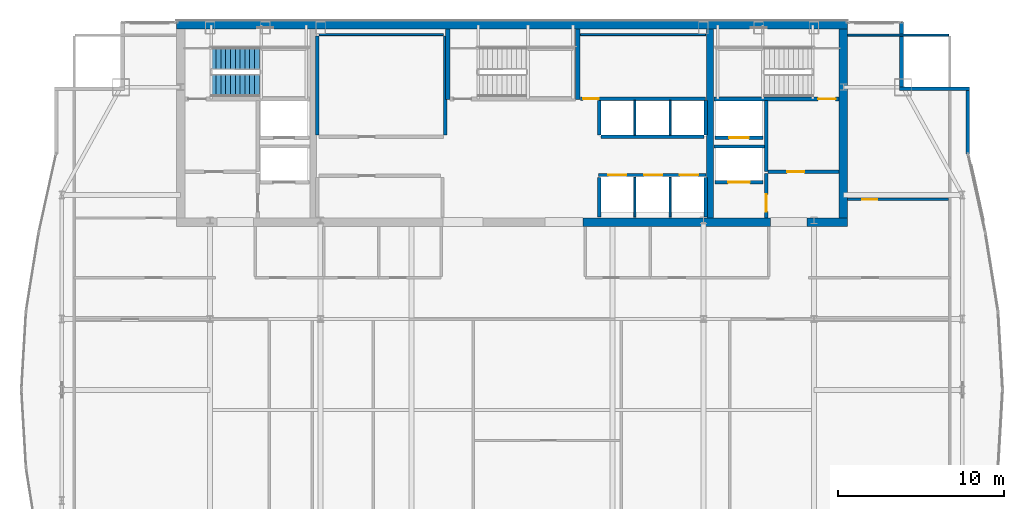
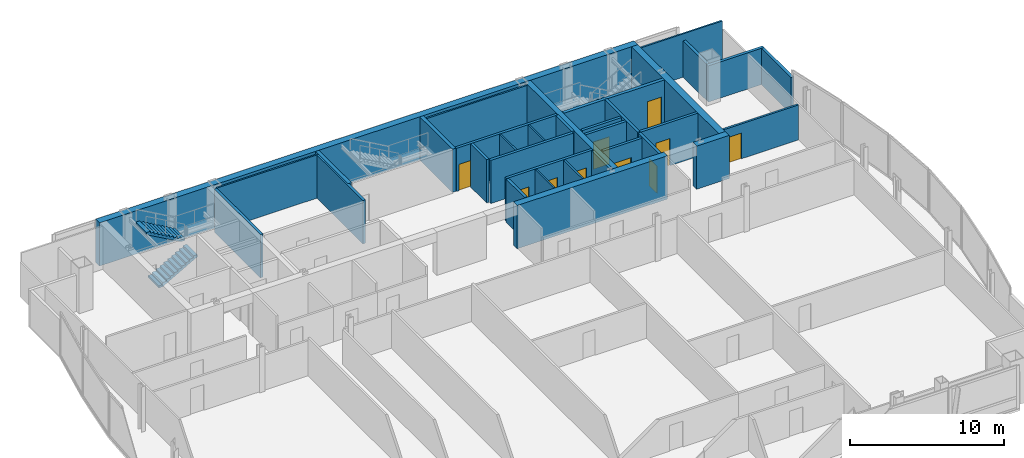
# One storey, part 27 of 30: 34 walls, 10 doors, 2 stair flights, 10 openings, 1 element without a shape of its own.
"""IFC4 building model written with IfcOpenShell, lengths in metres."""

from ifc_helpers import new_model, si_unit, direction, frame, frame_2d, origin, place, context, subcontext, project, spatial, polyline, rectangle, outline, extrude, material, layer, layer_set, type_object, element, fill, aggregate, save


model = new_model("IFC4")

# Units and contexts
model_context = context("Model", 3, precision=1e-05, world=origin(), true_north=direction((0.0, 1.0)))
body_context = subcontext(model_context, "Body", "Model", "MODEL_VIEW")
ifc_project = project(units=[si_unit("LENGTHUNIT", "METRE"), si_unit("AREAUNIT", "SQUARE_METRE"), si_unit("VOLUMEUNIT", "CUBIC_METRE"), si_unit("PLANEANGLEUNIT", "RADIAN"), si_unit("MASSUNIT", "GRAM", prefix="KILO")], contexts=[model_context])

# Site, building, storey
site_placement = place(None, origin())
site = spatial("IfcSite", under=ifc_project, at=site_placement, CompositionType="ELEMENT")
building_placement = place(site_placement, origin())
building = spatial("IfcBuilding", under=site, at=building_placement, Name="Khoronbel Lancet Exchange", CompositionType="ELEMENT")
storey_placement = place(building_placement, frame((0.0, 0.0, 269.800048828125)))
storey = spatial("IfcBuildingStorey", under=building, at=storey_placement, Name="L69", CompositionType="ELEMENT", Elevation=269.800048828125)

# Walls
ifc_material_1 = material(Name="Concrete C60/75", Category="concrete")
ifc_layer_1 = layer(ifc_material_1, 0.5, Name="Concrete C60/75")
ifc_layer_set_1 = layer_set([ifc_layer_1], Name="Concrete C60/75")
wall_type_1 = type_object("IfcWallType", Name="WL-CW4", PredefinedType="SHEAR", material=ifc_layer_set_1)
wall_1_placement = place(storey_placement, frame((16.199951171875, 53.449951171875, 0.0), z_axis=(0.0, 0.0, 1.0), x_axis=(1.0, 0.0, 0.0)))
element("IfcWall", 1, at=wall_1_placement, inside=storey, type_object=wall_type_1, Name="Level L69 rear core north shear wall", PredefinedType="SHEAR", context=body_context, shape_type="SweptSolid", body=[
    extrude(rectangle(XDim=40.5, YDim=0.5, at=frame_2d((20.25, 0.0))), origin(), (0.0, 0.0, 1.0), 3.43994140625),
])
wall_2_placement = place(storey_placement, frame((56.449951171875, 53.199951171875, 0.0), z_axis=(0.0, 0.0, 1.0), x_axis=(0.0, -1.0, 0.0)))
element("IfcWall", 2, at=wall_2_placement, inside=storey, type_object=wall_type_1, Name="Level L69 rear core east shear wall", PredefinedType="SHEAR", context=body_context, shape_type="SweptSolid", body=[
    extrude(rectangle(XDim=11.39990234375, YDim=0.5, at=frame_2d((5.699951171875, 0.0))), origin(), (0.0, 0.0, 1.0), 3.43994140625),
])
wall_3_placement = place(storey_placement, frame((52.050048828125, 41.550048828125, 0.0), z_axis=(0.0, 0.0, 1.0), x_axis=(-1.0, 0.0, 0.0)))
element("IfcWall", 3, at=wall_3_placement, inside=storey, type_object=wall_type_1, Name="Level L69 rear core south shear wall pier P4", PredefinedType="SHEAR", context=body_context, shape_type="SweptSolid", body=[
    extrude(rectangle(XDim=11.300048828125, YDim=0.5, at=frame_2d((5.64990234375, 0.0))), origin(), (0.0, 0.0, 1.0), 3.43994140625),
])
wall_4_placement = place(storey_placement, frame((56.699951171875, 41.550048828125, 0.0), z_axis=(0.0, 0.0, 1.0), x_axis=(-1.0, 0.0, 0.0)))
element("IfcWall", 4, at=wall_4_placement, inside=storey, type_object=wall_type_1, Name="Level L69 rear core south shear wall pier P5", PredefinedType="SHEAR", context=body_context, shape_type="SweptSolid", body=[
    extrude(rectangle(XDim=2.449951171875, YDim=0.5, at=frame_2d((1.22509765625, 0.0))), origin(), (0.0, 0.0, 1.0), 3.43994140625),
])
ifc_material_2 = material(Name="Precast concrete C40/50", Category="concrete")
ifc_layer_2 = layer(ifc_material_2, 0.25, Name="Precast concrete C40/50")
ifc_layer_set_2 = layer_set([ifc_layer_2], Name="Precast concrete C40/50")
wall_type_2 = type_object("IfcWallType", Name="WL-EXT250", PredefinedType="SOLIDWALL", material=ifc_layer_set_2)
wall_5_placement = place(storey_placement, frame((59.9599609375, 53.6298828125, 0.0), z_axis=(0.0, 0.0, 1.0), x_axis=(0.0, -1.0, 0.0)))
element("IfcWall", 5, at=wall_5_placement, inside=storey, type_object=wall_type_2, Name="Level L69 notched-corner limestone pier 14", PredefinedType="SOLIDWALL", context=body_context, shape_type="SweptSolid", body=[
    extrude(rectangle(XDim=3.909912109375, YDim=0.219970703125, at=frame_2d((1.955078125, 0.0))), origin(), (0.0, 0.0, 1.0), 2.8798828125),
])
wall_6_placement = place(storey_placement, frame((59.85009765625, 49.610107421875, 0.0), z_axis=(0.0, 0.0, 1.0), x_axis=(1.0, 0.0, 0.0)))
element("IfcWall", 6, at=wall_6_placement, inside=storey, type_object=wall_type_2, Name="Level L69 notched-corner limestone pier 15", PredefinedType="SOLIDWALL", context=body_context, shape_type="SweptSolid", body=[
    extrude(rectangle(XDim=4.219970703125, YDim=0.219970703125, at=frame_2d((2.10986328125, 0.0))), origin(), (0.0, 0.0, 1.0), 2.8798828125),
])
wall_7_placement = place(storey_placement, frame((63.9599609375, 49.5, 0.0), z_axis=(0.0, 0.0, 1.0), x_axis=(0.0, -1.0, 0.0)))
element("IfcWall", 7, at=wall_7_placement, inside=storey, type_object=wall_type_2, Name="Level L69 notched-corner limestone pier 16", PredefinedType="SOLIDWALL", context=body_context, shape_type="SweptSolid", body=[
    extrude(rectangle(XDim=3.829833984375, YDim=0.219970703125, at=frame_2d((1.9150390625, 0.0))), origin(), (0.0, 0.0, 1.0), 2.8798828125),
])

# Wall, opening, door
ifc_material_3 = material(Name="Acoustic Metal-Stud & Mineral-Wool Gypsum Partition 120 mm", Category="gypsum")
ifc_layer_3 = layer(ifc_material_3, 0.1201171875, Name="Acoustic Metal-Stud & Mineral-Wool Gypsum Partition 120 mm")
ifc_layer_set_3 = layer_set([ifc_layer_3], Name="Acoustic Metal-Stud & Mineral-Wool Gypsum Partition 120 mm")
wall_type_3 = type_object("IfcWallType", Name="WL-PRT120", PredefinedType="PARTITIONING", material=ifc_layer_set_3)
wall_8_placement = place(storey_placement, frame((56.699951171875, 42.919921875, 0.0), z_axis=(0.0, 0.0, 1.0), x_axis=(1.0, 0.0, 0.0)))
wall_8 = element("IfcWall", 8, at=wall_8_placement, inside=storey, type_object=wall_type_3, Name="Level L69 interior partition PW-NE-H", PredefinedType="PARTITIONING", context=body_context, shape_type="SweptSolid", body=[
    extrude(rectangle(XDim=6.10498046875, YDim=0.14990234375, at=frame_2d((3.052490234375, 0.0))), origin(), (0.0, 0.0, 1.0), 2.780029296875),
])
opening_1_placement = place(wall_8_placement, frame((0.89990234375, 0.0, 0.0)))
opening_1 = element("IfcOpeningElement", 9, at=opening_1_placement, cuts=wall_8, Name="Opening D5", PredefinedType="OPENING", context=body_context, shape_type="SweptSolid", body=[
    extrude(rectangle(XDim=0.89990234375, YDim=2.050048828125, at=frame_2d((0.449951171875, 1.02490234375))), frame((0.0, 0.0849609375, 0.0), z_axis=(0.0, -1.0, 0.0), x_axis=(1.0, 0.0, 0.0)), (0.0, 0.0, 1.0), 0.169921875),
])
ifc_material_4 = material(Name="Acoustic Timber Pantry & Support Door", Category="wood")
door_type_1 = type_object("IfcDoorType", Name="DR-D5", OperationType="NOTDEFINED", PredefinedType="DOOR", material=ifc_material_4)
door_1_placement = place(opening_1_placement, origin())
door_1 = element("IfcDoor", 10, at=door_1_placement, inside=storey, type_object=door_type_1, Name="NE north room door L69-1", OperationType="SINGLE_SWING_RIGHT", OverallHeight=2.050048828125, OverallWidth=0.89990234375, PredefinedType="DOOR", context=body_context, shape_type="SweptSolid", body=[
    extrude(rectangle(XDim=0.89990234375, YDim=2.050048828125, at=frame_2d((0.449951171875, 1.02490234375))), frame((0.0, 0.02490234375, 0.0), z_axis=(0.0, -1.0, 0.0), x_axis=(1.0, 0.0, 0.0)), (0.0, 0.0, 1.0), 0.050048828125),
])
fill(opening_1, door_1)

# Walls
wall_9_placement = place(storey_placement, frame((56.699951171875, 52.840087890625, 0.0), z_axis=(0.0, 0.0, 1.0), x_axis=(1.0, 0.0, 0.0)))
element("IfcWall", 11, at=wall_9_placement, inside=storey, type_object=wall_type_3, Name="Level L69 interior partition PW-LIN-NE", PredefinedType="PARTITIONING", context=body_context, shape_type="SweptSolid", body=[
    extrude(rectangle(XDim=6.10498046875, YDim=0.1201171875, at=frame_2d((3.052490234375, 0.0))), origin(), (0.0, 0.0, 1.0), 3.43994140625),
])
ifc_material_5 = material(Name="Fire-Rated Metal-Stud & Mineral-Wool Gypsum Partition 120 mm", Category="gypsum")
ifc_layer_4 = layer(ifc_material_5, 0.1201171875, Name="Fire-Rated Metal-Stud & Mineral-Wool Gypsum Partition 120 mm")
ifc_layer_set_4 = layer_set([ifc_layer_4], Name="Fire-Rated Metal-Stud & Mineral-Wool Gypsum Partition 120 mm")
wall_type_4 = type_object("IfcWallType", Name="WL-PRT120F", PredefinedType="PARTITIONING", material=ifc_layer_set_4)
wall_10_placement = place(storey_placement, frame((24.804931640625, 52.860107421875, 0.0), z_axis=(0.0, 0.0, 1.0), x_axis=(1.0, 0.0, 0.0)))
element("IfcWall", 12, at=wall_10_placement, inside=storey, type_object=wall_type_4, Name="Level L69 interior partition CW-PL-RN", PredefinedType="PARTITIONING", context=body_context, shape_type="SweptSolid", body=[
    extrude(rectangle(XDim=7.510009765625, YDim=0.1201171875, at=frame_2d((3.7548828125, 0.0))), origin(), (0.0, 0.0, 1.0), 3.43994140625),
])
for number, where, z_axis, x_axis, name in (
    (13, (43.860107421875, 46.804931640625, 0.0), (0.0, 0.0, 1.0), (0.0, 1.0, 0.0), "Level L69 interior partition CW-PH-D1"),
    (14, (46.0, 46.804931640625, 0.0), (0.0, 0.0, 1.0), (0.0, 1.0, 0.0), "Level L69 interior partition CW-PH-D2"),
):
    element("IfcWall", number, at=place(storey_placement, frame(where, z_axis=z_axis, x_axis=x_axis)), inside=storey, type_object=wall_type_4, Name=name, PredefinedType="PARTITIONING", context=body_context, shape_type="SweptSolid", body=[
        extrude(rectangle(XDim=2.090087890625, YDim=0.1201171875, at=frame_2d((1.044921875, 0.0))), origin(), (0.0, 0.0, 1.0), 3.43994140625),
    ])
for number, where, z_axis, x_axis, name in (
    (15, (43.860107421875, 41.85009765625, 0.0), (0.0, 0.0, 1.0), (0.0, 1.0, 0.0), "Level L69 interior partition CW-PX-D1"),
    (16, (46.0, 41.85009765625, 0.0), (0.0, 0.0, 1.0), (0.0, 1.0, 0.0), "Level L69 interior partition CW-PX-D2"),
):
    element("IfcWall", number, at=place(storey_placement, frame(where, z_axis=z_axis, x_axis=x_axis)), inside=storey, type_object=wall_type_4, Name=name, PredefinedType="PARTITIONING", context=body_context, shape_type="SweptSolid", body=[
        extrude(rectangle(XDim=2.39990234375, YDim=0.1201171875, at=frame_2d((1.199951171875, 0.0))), origin(), (0.0, 0.0, 1.0), 3.43994140625),
    ])
wall_11_placement = place(storey_placement, frame((40.580078125, 52.860107421875, 0.0), z_axis=(0.0, 0.0, 1.0), x_axis=(1.0, 0.0, 0.0)))
element("IfcWall", 17, at=wall_11_placement, inside=storey, type_object=wall_type_4, Name="Level L69 interior partition CW-SUP-NE-N", PredefinedType="PARTITIONING", context=body_context, shape_type="SweptSolid", body=[
    extrude(rectangle(XDim=7.559814453125, YDim=0.1201171875, at=frame_2d((3.77978515625, 0.0))), origin(), (0.0, 0.0, 1.0), 3.43994140625),
])

# Wall, openings, doors
ifc_material_6 = material(Name="Autoclaved Aerated Concrete Blockwork 200 mm", Category="masonry")
ifc_layer_5 = layer(ifc_material_6, 0.199951171875, Name="Autoclaved Aerated Concrete Blockwork 200 mm")
ifc_layer_set_5 = layer_set([ifc_layer_5], Name="Autoclaved Aerated Concrete Blockwork 200 mm")
wall_type_5 = type_object("IfcWallType", Name="WL-PRT200", PredefinedType="PARTITIONING", material=ifc_layer_set_5)
wall_12_placement = place(storey_placement, frame((41.679931640625, 44.39990234375, 0.0), z_axis=(0.0, 0.0, 1.0), x_axis=(1.0, 0.0, 0.0)))
wall_12 = element("IfcWall", 18, at=wall_12_placement, inside=storey, type_object=wall_type_5, Name="Level L69 elevator hoistway landing front wall PXE", PredefinedType="PARTITIONING", context=body_context, shape_type="SweptSolid", body=[
    extrude(rectangle(XDim=6.47998046875, YDim=0.199951171875, at=frame_2d((3.239990234375, 0.0))), origin(), (0.0, 0.0, 1.0), 3.43994140625),
])
opening_2_placement = place(wall_12_placement, frame((0.580078125, 0.0, 0.0)))
opening_2 = element("IfcOpeningElement", 19, at=opening_2_placement, cuts=wall_12, Name="Opening LD-PX1", PredefinedType="OPENING", context=body_context, shape_type="SweptSolid", body=[
    extrude(rectangle(XDim=1.10009765625, YDim=2.179931640625, at=frame_2d((0.550048828125, 1.08984375))), frame((0.0, 0.10986328125, 0.0), z_axis=(0.0, -1.0, 0.0), x_axis=(1.0, 0.0, 0.0)), (0.0, 0.0, 1.0), 0.219970703125),
])
opening_3_placement = place(wall_12_placement, frame((2.739990234375, 0.0, 0.0)))
opening_3 = element("IfcOpeningElement", 20, at=opening_3_placement, cuts=wall_12, Name="Opening LD-PX2", PredefinedType="OPENING", context=body_context, shape_type="SweptSolid", body=[
    extrude(rectangle(XDim=1.10009765625, YDim=2.179931640625, at=frame_2d((0.550048828125, 1.08984375))), frame((0.0, 0.10986328125, 0.0), z_axis=(0.0, -1.0, 0.0), x_axis=(1.0, 0.0, 0.0)), (0.0, 0.0, 1.0), 0.219970703125),
])
opening_4_placement = place(wall_12_placement, frame((4.89990234375, 0.0, 0.0)))
opening_4 = element("IfcOpeningElement", 21, at=opening_4_placement, cuts=wall_12, Name="Opening LD-PX3", PredefinedType="OPENING", context=body_context, shape_type="SweptSolid", body=[
    extrude(rectangle(XDim=1.10009765625, YDim=2.179931640625, at=frame_2d((0.550048828125, 1.08984375))), frame((0.0, 0.10986328125, 0.0), z_axis=(0.0, -1.0, 0.0), x_axis=(1.0, 0.0, 0.0)), (0.0, 0.0, 1.0), 0.219970703125),
])
ifc_material_7 = material(Name="Brushed Bronze Bi-Parting Elevator Landing Door", Category="steel")
door_type_2 = type_object("IfcDoorType", Name="DR-LD-PAX", OperationType="NOTDEFINED", PredefinedType="DOOR", material=ifc_material_7)
door_2_placement = place(opening_2_placement, origin())
door_2 = element("IfcDoor", 22, at=door_2_placement, inside=storey, type_object=door_type_2, Name="Elevator landing sliding door LD-PX1 L69", OperationType="SLIDING_TO_LEFT", OverallHeight=2.179931640625, OverallWidth=1.10009765625, PredefinedType="DOOR", context=body_context, shape_type="SweptSolid", body=[
    extrude(rectangle(XDim=1.10009765625, YDim=2.179931640625, at=frame_2d((0.550048828125, 1.08984375))), frame((0.0, 0.02490234375, 0.0), z_axis=(0.0, -1.0, 0.0), x_axis=(1.0, 0.0, 0.0)), (0.0, 0.0, 1.0), 0.050048828125),
])
fill(opening_2, door_2)
door_3_placement = place(opening_3_placement, origin())
door_3 = element("IfcDoor", 23, at=door_3_placement, inside=storey, type_object=door_type_2, Name="Elevator landing sliding door LD-PX2 L69", OperationType="SLIDING_TO_LEFT", OverallHeight=2.179931640625, OverallWidth=1.10009765625, PredefinedType="DOOR", context=body_context, shape_type="SweptSolid", body=[
    extrude(rectangle(XDim=1.10009765625, YDim=2.179931640625, at=frame_2d((0.550048828125, 1.08984375))), frame((0.0, 0.02490234375, 0.0), z_axis=(0.0, -1.0, 0.0), x_axis=(1.0, 0.0, 0.0)), (0.0, 0.0, 1.0), 0.050048828125),
])
fill(opening_3, door_3)
door_4_placement = place(opening_4_placement, origin())
door_4 = element("IfcDoor", 24, at=door_4_placement, inside=storey, type_object=door_type_2, Name="Elevator landing sliding door LD-PX3 L69", OperationType="SLIDING_TO_LEFT", OverallHeight=2.179931640625, OverallWidth=1.10009765625, PredefinedType="DOOR", context=body_context, shape_type="SweptSolid", body=[
    extrude(rectangle(XDim=1.10009765625, YDim=2.179931640625, at=frame_2d((0.550048828125, 1.08984375))), frame((0.0, 0.02490234375, 0.0), z_axis=(0.0, -1.0, 0.0), x_axis=(1.0, 0.0, 0.0)), (0.0, 0.0, 1.0), 0.050048828125),
])
fill(opening_4, door_4)

# Wall, opening, door
wall_13_placement = place(storey_placement, frame((51.610107421875, 43.949951171875, 0.0), z_axis=(0.0, 0.0, 1.0), x_axis=(-1.0, 0.0, 0.0)))
wall_13 = element("IfcWall", 25, at=wall_13_placement, inside=storey, type_object=wall_type_5, Name="Level L69 elevator hoistway landing front wall SVLE", PredefinedType="PARTITIONING", context=body_context, shape_type="SweptSolid", body=[
    extrude(rectangle(XDim=2.920166015625, YDim=0.199951171875, at=frame_2d((1.4599609375, 0.0))), origin(), (0.0, 0.0, 1.0), 3.43994140625),
])
opening_5_placement = place(wall_13_placement, frame((0.81005859375, 0.0, 0.0)))
opening_5 = element("IfcOpeningElement", 26, at=opening_5_placement, cuts=wall_13, Name="Opening LD-SVL2", PredefinedType="OPENING", context=body_context, shape_type="SweptSolid", body=[
    extrude(rectangle(XDim=1.300048828125, YDim=2.179931640625, at=frame_2d((0.64990234375, 1.08984375))), frame((0.0, 0.10986328125, 0.0), z_axis=(0.0, -1.0, 0.0), x_axis=(1.0, 0.0, 0.0)), (0.0, 0.0, 1.0), 0.219970703125),
])
ifc_material_8 = material(Name="Heavy-Duty Bi-Parting Goods Lift Landing Door", Category="steel")
door_type_3 = type_object("IfcDoorType", Name="DR-LD-SVL", OperationType="NOTDEFINED", PredefinedType="DOOR", material=ifc_material_8)
door_5_placement = place(opening_5_placement, origin())
door_5 = element("IfcDoor", 27, at=door_5_placement, inside=storey, type_object=door_type_3, Name="Elevator landing sliding door LD-SVL2 L69", OperationType="SLIDING_TO_LEFT", OverallHeight=2.179931640625, OverallWidth=1.300048828125, PredefinedType="DOOR", context=body_context, shape_type="SweptSolid", body=[
    extrude(rectangle(XDim=1.300048828125, YDim=2.179931640625, at=frame_2d((0.64990234375, 1.08984375))), frame((0.0, 0.02490234375, 0.0), z_axis=(0.0, -1.0, 0.0), x_axis=(1.0, 0.0, 0.0)), (0.0, 0.0, 1.0), 0.050048828125),
])
fill(opening_5, door_5)

wall_14_placement = place(storey_placement, frame((51.610107421875, 46.64990234375, 0.0), z_axis=(0.0, 0.0, 1.0), x_axis=(-1.0, 0.0, 0.0)))
wall_14 = element("IfcWall", 28, at=wall_14_placement, inside=storey, type_object=wall_type_5, Name="Level L69 elevator hoistway landing front wall FFLE", PredefinedType="PARTITIONING", context=body_context, shape_type="SweptSolid", body=[
    extrude(rectangle(XDim=2.920166015625, YDim=0.199951171875, at=frame_2d((1.4599609375, 0.0))), origin(), (0.0, 0.0, 1.0), 3.43994140625),
])
opening_6_placement = place(wall_14_placement, frame((0.860107421875, 0.0, 0.0)))
opening_6 = element("IfcOpeningElement", 29, at=opening_6_placement, cuts=wall_14, Name="Opening LD-FFL2", PredefinedType="OPENING", context=body_context, shape_type="SweptSolid", body=[
    extrude(rectangle(XDim=1.199951171875, YDim=2.179931640625, at=frame_2d((0.60009765625, 1.08984375))), frame((0.0, 0.10986328125, 0.0), z_axis=(0.0, -1.0, 0.0), x_axis=(1.0, 0.0, 0.0)), (0.0, 0.0, 1.0), 0.219970703125),
])
ifc_material_9 = material(Name="Fire-Rated Stainless Bi-Parting Firefighting Lift Door", Category="steel")
door_type_4 = type_object("IfcDoorType", Name="DR-LD-FFL", OperationType="NOTDEFINED", PredefinedType="DOOR", material=ifc_material_9)
door_6_placement = place(opening_6_placement, origin())
door_6 = element("IfcDoor", 30, at=door_6_placement, inside=storey, type_object=door_type_4, Name="Elevator landing sliding door LD-FFL2 L69", OperationType="SLIDING_TO_LEFT", OverallHeight=2.179931640625, OverallWidth=1.199951171875, PredefinedType="DOOR", context=body_context, shape_type="SweptSolid", body=[
    extrude(rectangle(XDim=1.199951171875, YDim=2.179931640625, at=frame_2d((0.60009765625, 1.08984375))), frame((0.0, 0.02490234375, 0.0), z_axis=(0.0, -1.0, 0.0), x_axis=(1.0, 0.0, 0.0)), (0.0, 0.0, 1.0), 0.050048828125),
])
fill(opening_6, door_6)

# Wall
wall_15_placement = place(storey_placement, frame((51.800048828125, 44.60009765625, 0.0), z_axis=(0.0, 0.0, 1.0), x_axis=(0.0, 1.0, 0.0)))
element("IfcWall", 31, at=wall_15_placement, inside=storey, type_object=wall_type_5, Name="Level L69 interior partition CW-FFLE-W", PredefinedType="PARTITIONING", context=body_context, shape_type="SweptSolid", body=[
    extrude(rectangle(XDim=4.2998046875, YDim=0.199951171875, at=frame_2d((2.14990234375, 0.0))), origin(), (0.0, 0.0, 1.0), 3.43994140625),
])

# Wall, opening, door
wall_16_placement = place(storey_placement, frame((51.89990234375, 44.60009765625, 0.0), z_axis=(0.0, 0.0, 1.0), x_axis=(1.0, 0.0, 0.0)))
wall_16 = element("IfcWall", 32, at=wall_16_placement, inside=storey, type_object=wall_type_5, Name="Level L69 interior partition CW-FFLE-S", PredefinedType="PARTITIONING", context=body_context, shape_type="SweptSolid", body=[
    extrude(rectangle(XDim=4.300048828125, YDim=0.199951171875, at=frame_2d((2.14990234375, 0.0))), origin(), (0.0, 0.0, 1.0), 3.43994140625),
])
opening_7_placement = place(wall_16_placement, frame((1.14990234375, 0.0, 0.0)))
opening_7 = element("IfcOpeningElement", 33, at=opening_7_placement, cuts=wall_16, Name="Opening FD1", PredefinedType="OPENING", context=body_context, shape_type="SweptSolid", body=[
    extrude(rectangle(XDim=1.050048828125, YDim=2.14990234375, at=frame_2d((0.52490234375, 1.074951171875))), frame((0.0, 0.10986328125, 0.0), z_axis=(0.0, -1.0, 0.0), x_axis=(1.0, 0.0, 0.0)), (0.0, 0.0, 1.0), 0.219970703125),
])
ifc_material_10 = material(Name="Fire-Rated Painted Steel Door Assembly", Category="steel")
door_type_5 = type_object("IfcDoorType", Name="DR-FD1", OperationType="NOTDEFINED", PredefinedType="DOOR", material=ifc_material_10)
door_7_placement = place(opening_7_placement, origin())
door_7 = element("IfcDoor", 34, at=door_7_placement, inside=storey, type_object=door_type_5, Name="East firefighting lobby FD90S door L69-1", OperationType="SINGLE_SWING_LEFT", OverallHeight=2.14990234375, OverallWidth=1.050048828125, PredefinedType="DOOR", context=body_context, shape_type="SweptSolid", body=[
    extrude(rectangle(XDim=1.050048828125, YDim=2.14990234375, at=frame_2d((0.52490234375, 1.074951171875))), frame((0.0, 0.02490234375, 0.0), z_axis=(0.0, -1.0, 0.0), x_axis=(1.0, 0.0, 0.0)), (0.0, 0.0, 1.0), 0.050048828125),
])
fill(opening_7, door_7)

# Wall
wall_17_placement = place(storey_placement, frame((48.6298828125, 46.1201171875, 0.0), z_axis=(0.0, 0.0, 1.0), x_axis=(1.0, 0.0, 0.0)))
element("IfcWall", 35, at=wall_17_placement, inside=storey, type_object=wall_type_5, Name="Level L69 interior partition CW-FFL2-S", PredefinedType="PARTITIONING", context=body_context, shape_type="SweptSolid", body=[
    extrude(rectangle(XDim=3.070068359375, YDim=0.199951171875, at=frame_2d((1.53515625, 0.0))), origin(), (0.0, 0.0, 1.0), 3.43994140625),
])

# Wall, opening, door
wall_18_placement = place(storey_placement, frame((51.800048828125, 41.800048828125, 0.0), z_axis=(0.0, 0.0, 1.0), x_axis=(0.0, 1.0, 0.0)))
wall_18 = element("IfcWall", 36, at=wall_18_placement, inside=storey, type_object=wall_type_5, Name="Level L69 interior partition CW-SVLE-E", PredefinedType="PARTITIONING", context=body_context, shape_type="SweptSolid", body=[
    extrude(rectangle(XDim=2.695068359375, YDim=0.199951171875, at=frame_2d((1.34765625, 0.0))), origin(), (0.0, 0.0, 1.0), 3.43994140625),
])
opening_8_placement = place(wall_18_placement, frame((0.3798828125, 0.0, 0.0)))
opening_8 = element("IfcOpeningElement", 37, at=opening_8_placement, cuts=wall_18, Name="Opening FD1", PredefinedType="OPENING", context=body_context, shape_type="SweptSolid", body=[
    extrude(rectangle(XDim=1.050048828125, YDim=2.14990234375, at=frame_2d((0.52490234375, 1.074951171875))), frame((0.0, 0.10986328125, 0.0), z_axis=(0.0, -1.0, 0.0), x_axis=(1.0, 0.0, 0.0)), (0.0, 0.0, 1.0), 0.219970703125),
])
door_8_placement = place(opening_8_placement, origin())
door_8 = element("IfcDoor", 38, at=door_8_placement, inside=storey, type_object=door_type_5, Name="East service lift lobby door L69-1", OperationType="SINGLE_SWING_RIGHT", OverallHeight=2.14990234375, OverallWidth=1.050048828125, PredefinedType="DOOR", context=body_context, shape_type="SweptSolid", body=[
    extrude(rectangle(XDim=1.050048828125, YDim=2.14990234375, at=frame_2d((0.52490234375, 1.074951171875))), frame((0.0, 0.02490234375, 0.0), z_axis=(0.0, -1.0, 0.0), x_axis=(1.0, 0.0, 0.0)), (0.0, 0.0, 1.0), 0.050048828125),
])
fill(opening_8, door_8)

# Walls
for number, where, z_axis, x_axis, name in (
    (39, (24.699951171875, 46.804931640625, 0.0), (0.0, 0.0, 1.0), (0.0, 1.0, 0.0), "Level L69 interior partition CW-PL-RW"),
    (40, (32.419921875, 46.804931640625, 0.0), (0.0, 0.0, 1.0), (0.0, 1.0, 0.0), "Level L69 interior partition CW-PL-RE"),
):
    element("IfcWall", number, at=place(storey_placement, frame(where, z_axis=z_axis, x_axis=x_axis)), inside=storey, type_object=wall_type_5, Name=name, PredefinedType="PARTITIONING", context=body_context, shape_type="SweptSolid", body=[
        extrude(rectangle(XDim=5.989990234375, YDim=0.199951171875, at=frame_2d((2.9951171875, 0.0))), origin(), (0.0, 0.0, 1.0), 3.43994140625),
    ])
wall_19_placement = place(storey_placement, frame((41.824951171875, 46.699951171875, 0.0), z_axis=(0.0, 0.0, 1.0), x_axis=(1.0, 0.0, 0.0)))
element("IfcWall", 41, at=wall_19_placement, inside=storey, type_object=wall_type_5, Name="Level L69 interior partition CW-PH-EXP", PredefinedType="PARTITIONING", context=body_context, shape_type="SweptSolid", body=[
    extrude(rectangle(XDim=6.2099609375, YDim=0.199951171875, at=frame_2d((3.10498046875, 0.0))), origin(), (0.0, 0.0, 1.0), 3.43994140625),
])
for number, where, z_axis, x_axis, name in (
    (42, (41.719970703125, 46.804931640625, 0.0), (0.0, 0.0, 1.0), (0.0, 1.0, 0.0), "Level L69 interior partition CW-PH-W"),
    (43, (48.139892578125, 46.804931640625, 0.0), (0.0, 0.0, 1.0), (0.0, 1.0, 0.0), "Level L69 interior partition CW-PH-E"),
):
    element("IfcWall", number, at=place(storey_placement, frame(where, z_axis=z_axis, x_axis=x_axis)), inside=storey, type_object=wall_type_5, Name=name, PredefinedType="PARTITIONING", context=body_context, shape_type="SweptSolid", body=[
        extrude(rectangle(XDim=2.090087890625, YDim=0.199951171875, at=frame_2d((1.044921875, 0.0))), origin(), (0.0, 0.0, 1.0), 3.43994140625),
    ])
for number, where, z_axis, x_axis, name in (
    (44, (41.719970703125, 41.85009765625, 0.0), (0.0, 0.0, 1.0), (0.0, 1.0, 0.0), "Level L69 interior partition CW-PX-W"),
    (45, (48.139892578125, 41.85009765625, 0.0), (0.0, 0.0, 1.0), (0.0, 1.0, 0.0), "Level L69 interior partition CW-PX-E"),
):
    element("IfcWall", number, at=place(storey_placement, frame(where, z_axis=z_axis, x_axis=x_axis)), inside=storey, type_object=wall_type_5, Name=name, PredefinedType="PARTITIONING", context=body_context, shape_type="SweptSolid", body=[
        extrude(rectangle(XDim=2.39990234375, YDim=0.199951171875, at=frame_2d((1.199951171875, 0.0))), origin(), (0.0, 0.0, 1.0), 3.43994140625),
    ])

# Wall, opening, door
wall_20_placement = place(storey_placement, frame((40.580078125, 49.0, 0.0), z_axis=(0.0, 0.0, 1.0), x_axis=(1.0, 0.0, 0.0)))
wall_20 = element("IfcWall", 46, at=wall_20_placement, inside=storey, type_object=wall_type_5, Name="Level L69 interior partition CW-SUP-NE-S", PredefinedType="PARTITIONING", context=body_context, shape_type="SweptSolid", body=[
    extrude(rectangle(XDim=7.559814453125, YDim=0.199951171875, at=frame_2d((3.77978515625, 0.0))), origin(), (0.0, 0.0, 1.0), 3.43994140625),
])
opening_9_placement = place(wall_20_placement, frame((0.159912109375, 0.0, 0.0)))
opening_9 = element("IfcOpeningElement", 47, at=opening_9_placement, cuts=wall_20, Name="Opening FD3", PredefinedType="OPENING", context=body_context, shape_type="SweptSolid", body=[
    extrude(rectangle(XDim=0.949951171875, YDim=2.10009765625, at=frame_2d((0.47509765625, 1.050048828125))), frame((0.0, 0.10986328125, 0.0), z_axis=(0.0, -1.0, 0.0), x_axis=(1.0, 0.0, 0.0)), (0.0, 0.0, 1.0), 0.219970703125),
])
ifc_material_11 = material(Name="Fire-Rated Steel Plant & Riser Door Assembly", Category="steel")
door_type_6 = type_object("IfcDoorType", Name="DR-FD3", OperationType="NOTDEFINED", PredefinedType="DOOR", material=ifc_material_11)
door_9_placement = place(opening_9_placement, origin())
door_9 = element("IfcDoor", 48, at=door_9_placement, inside=storey, type_object=door_type_6, Name="Core NE support room door L69-1", OperationType="SINGLE_SWING_LEFT", OverallHeight=2.10009765625, OverallWidth=0.949951171875, PredefinedType="DOOR", context=body_context, shape_type="SweptSolid", body=[
    extrude(rectangle(XDim=0.949951171875, YDim=2.10009765625, at=frame_2d((0.47509765625, 1.050048828125))), frame((0.0, 0.02490234375, 0.0), z_axis=(0.0, -1.0, 0.0), x_axis=(1.0, 0.0, 0.0)), (0.0, 0.0, 1.0), 0.050048828125),
])
fill(opening_9, door_9)

# Walls
ifc_layer_6 = layer(ifc_material_1, 0.39990234375, Name="Concrete C60/75")
ifc_layer_set_6 = layer_set([ifc_layer_6], Name="Concrete C60/75")
wall_type_6 = type_object("IfcWallType", Name="WL-SW2", PredefinedType="SHEAR", material=ifc_layer_set_6)
wall_21_placement = place(storey_placement, frame((48.39990234375, 41.800048828125, 0.0), z_axis=(0.0, 0.0, 1.0), x_axis=(0.0, 1.0, 0.0)))
element("IfcWall", 49, at=wall_21_placement, inside=storey, type_object=wall_type_6, Name="Level L69 rear core internal spine shear wall IE", PredefinedType="SHEAR", context=body_context, shape_type="SweptSolid", body=[
    extrude(rectangle(XDim=11.39990234375, YDim=0.39990234375, at=frame_2d((5.699951171875, 0.0))), origin(), (0.0, 0.0, 1.0), 3.43994140625),
])
ifc_layer_7 = layer(ifc_material_1, 0.260009765625, Name="Concrete C60/75")
ifc_layer_set_7 = layer_set([ifc_layer_7], Name="Concrete C60/75")
wall_type_7 = type_object("IfcWallType", Name="WL-SW3", PredefinedType="SHEAR", material=ifc_layer_set_7)
for number, where, z_axis, x_axis, name in (
    (50, (32.580078125, 48.949951171875, 0.0), (0.0, 0.0, 1.0), (0.0, 1.0, 0.0), "Level L69 central stairwell structural shear wall ST3W"),
    (51, (40.419921875, 48.949951171875, 0.0), (0.0, 0.0, 1.0), (0.0, 1.0, 0.0), "Level L69 central stairwell structural shear wall ST3E"),
):
    element("IfcWall", number, at=place(storey_placement, frame(where, z_axis=z_axis, x_axis=x_axis)), inside=storey, type_object=wall_type_7, Name=name, PredefinedType="SHEAR", context=body_context, shape_type="SweptSolid", body=[
        extrude(rectangle(XDim=4.25, YDim=0.260009765625, at=frame_2d((2.125, 0.0))), origin(), (0.0, 0.0, 1.0), 3.43994140625),
    ])

# Wall, opening, door
wall_22_placement = place(storey_placement, frame((48.6298828125, 48.97998046875, 0.0), z_axis=(0.0, 0.0, 1.0), x_axis=(1.0, 0.0, 0.0)))
wall_22 = element("IfcWall", 52, at=wall_22_placement, inside=storey, type_object=wall_type_7, Name="Level L69 east stairwell structural south wall", PredefinedType="SHEAR", context=body_context, shape_type="SweptSolid", body=[
    extrude(rectangle(XDim=7.570068359375, YDim=0.239990234375, at=frame_2d((3.78515625, 0.0))), origin(), (0.0, 0.0, 1.0), 3.43994140625),
])
opening_10_placement = place(wall_22_placement, frame((6.300048828125, 0.0, 0.0)))
opening_10 = element("IfcOpeningElement", 53, at=opening_10_placement, cuts=wall_22, Name="Opening SD1", PredefinedType="OPENING", context=body_context, shape_type="SweptSolid", body=[
    extrude(rectangle(XDim=1.050048828125, YDim=2.14990234375, at=frame_2d((0.52490234375, 1.074951171875))), frame((0.0, 0.1298828125, 0.0), z_axis=(0.0, -1.0, 0.0), x_axis=(1.0, 0.0, 0.0)), (0.0, 0.0, 1.0), 0.260009765625),
])
ifc_material_12 = material(Name="Fire-Rated Steel Stairwell Door Assembly", Category="steel")
door_type_7 = type_object("IfcDoorType", Name="DR-SD1", OperationType="NOTDEFINED", PredefinedType="DOOR", material=ifc_material_12)
door_10_placement = place(opening_10_placement, origin())
door_10 = element("IfcDoor", 54, at=door_10_placement, inside=storey, type_object=door_type_7, Name="Protected exit stair ST2 door L69", OperationType="SINGLE_SWING_RIGHT", OverallHeight=2.14990234375, OverallWidth=1.050048828125, PredefinedType="DOOR", context=body_context, shape_type="SweptSolid", body=[
    extrude(rectangle(XDim=1.050048828125, YDim=2.14990234375, at=frame_2d((0.52490234375, 1.074951171875))), frame((0.0, 0.02490234375, 0.0), z_axis=(0.0, -1.0, 0.0), x_axis=(1.0, 0.0, 0.0)), (0.0, 0.0, 1.0), 0.050048828125),
])
fill(opening_10, door_10)

# Stair, stair flights
ifc_material_13 = material(Name="Concrete C40/50", Category="concrete")
stair_type = type_object("IfcStairType", Name="STR-CORE150", PredefinedType="HALF_TURN_STAIR", material=ifc_material_13)
stair_placement = place(storey_placement, origin())
stair = element("IfcStair", 55, at=stair_placement, inside=storey, type_object=stair_type, Name="L69 Protected Exit Stair ST1", PredefinedType="HALF_TURN_STAIR")
stair_flight_type = type_object("IfcStairFlightType", Name="STF-150", PredefinedType="STRAIGHT", material=ifc_material_13)
stair_flight_1_placement = place(storey_placement, frame((18.300048828125, 49.81005859375, 0.0), z_axis=(0.0, 0.0, 1.0), x_axis=(1.0, 0.0, 0.0)))
stair_flight_1 = element("IfcStairFlight", 56, at=stair_flight_1_placement, type_object=stair_flight_type, Name="ST1 flight 1", NumberOfRisers=11, NumberOfTreads=10, PredefinedType="STRAIGHT", RiserHeight=0.163636364, TreadLength=0.29, context=body_context, shape_type="SweptSolid", body=[
    extrude(outline(polyline([(0.0, 0.0), (0.0, 0.16357421875), (0.2900390625, 0.16357421875), (0.2900390625, 0.327392578125), (0.580078125, 0.327392578125), (0.580078125, 0.490966796875), (0.8701171875, 0.490966796875), (0.8701171875, 0.654541015625), (1.159912109375, 0.654541015625), (1.159912109375, 0.818115234375), (1.449951171875, 0.818115234375), (1.449951171875, 0.98193359375), (1.739990234375, 0.98193359375), (1.739990234375, 1.1455078125), (2.030029296875, 1.1455078125), (2.030029296875, 1.30908203125), (2.320068359375, 1.30908203125), (2.320068359375, 1.47265625), (2.610107421875, 1.47265625), (2.610107421875, 1.636474609375), (2.89990234375, 1.636474609375), (2.89990234375, 1.800048828125), (2.89990234375, 1.46435546875), (0.304931640625, 0.0), (0.0, 0.0)])), frame((0.0, 0.68994140625, 0.0), z_axis=(0.0, -1.0, 0.0), x_axis=(1.0, 0.0, 0.0)), (0.0, 0.0, 1.0), 1.3798828125),
])
stair_flight_2_placement = place(storey_placement, frame((21.199951171875, 51.409912109375, 1.800048828125), z_axis=(0.0, 0.0, 1.0), x_axis=(-1.0, 0.0, 0.0)))
stair_flight_2 = element("IfcStairFlight", 57, at=stair_flight_2_placement, type_object=stair_flight_type, Name="ST1 flight 2", NumberOfRisers=11, NumberOfTreads=10, PredefinedType="STRAIGHT", RiserHeight=0.163636364, TreadLength=0.29, context=body_context, shape_type="SweptSolid", body=[
    extrude(outline(polyline([(0.0, 0.0), (0.0, 0.16357421875), (0.2900390625, 0.16357421875), (0.2900390625, 0.327392578125), (0.580078125, 0.327392578125), (0.580078125, 0.490966796875), (0.8701171875, 0.490966796875), (0.8701171875, 0.654541015625), (1.159912109375, 0.654541015625), (1.159912109375, 0.818115234375), (1.449951171875, 0.818115234375), (1.449951171875, 0.98193359375), (1.739990234375, 0.98193359375), (1.739990234375, 1.1455078125), (2.030029296875, 1.1455078125), (2.030029296875, 1.30908203125), (2.320068359375, 1.30908203125), (2.320068359375, 1.47265625), (2.610107421875, 1.47265625), (2.610107421875, 1.636474609375), (2.89990234375, 1.636474609375), (2.89990234375, 1.800048828125), (2.89990234375, 1.46435546875), (0.304931640625, 0.0), (0.0, 0.0)])), frame((0.0, 0.68994140625, 0.0), z_axis=(0.0, -1.0, 0.0), x_axis=(1.0, 0.0, 0.0)), (0.0, 0.0, 1.0), 1.3798828125),
])
aggregate(stair, [stair_flight_1, stair_flight_2])

save(model, "model.ifc")
